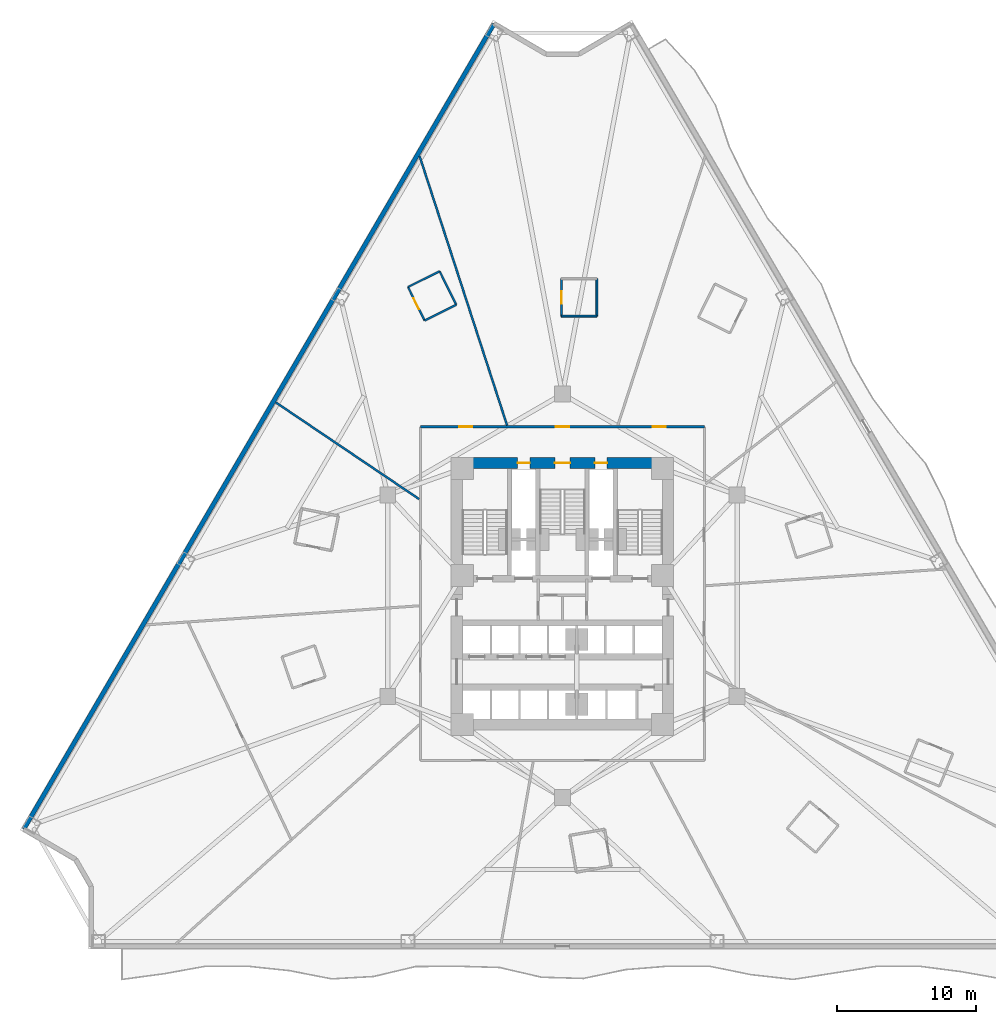
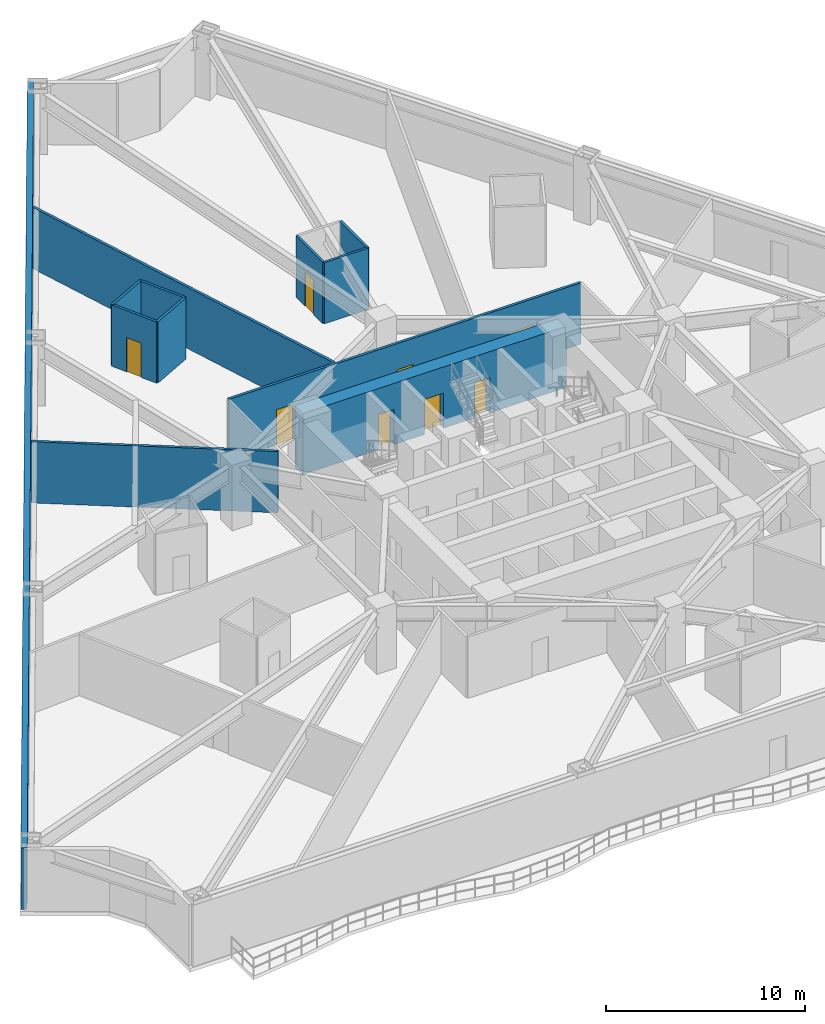
# One storey, part 6 of 10: 12 walls, 8 doors, 8 openings.
"""IFC4 building model written with IfcOpenShell, lengths in metres."""

from ifc_helpers import new_model, si_unit, direction, frame, frame_2d, origin, place, context, subcontext, project, spatial, rectangle, extrude, material, layer, layer_set, type_object, element, fill, save


model = new_model("IFC4")

# Units and contexts
model_context = context("Model", 3, precision=1e-05, world=origin(), true_north=direction((0.0, 1.0)))
body_context = subcontext(model_context, "Body", "Model", "MODEL_VIEW")
ifc_project = project(units=[si_unit("LENGTHUNIT", "METRE"), si_unit("AREAUNIT", "SQUARE_METRE"), si_unit("VOLUMEUNIT", "CUBIC_METRE"), si_unit("PLANEANGLEUNIT", "RADIAN"), si_unit("MASSUNIT", "GRAM", prefix="KILO")], contexts=[model_context])

# Site, building, storey
site_placement = place(None, origin())
site = spatial("IfcSite", under=ifc_project, at=site_placement, CompositionType="ELEMENT")
building_placement = place(site_placement, origin())
building = spatial("IfcBuilding", under=site, at=building_placement, Name="Apsidion Concourse Tower", CompositionType="ELEMENT")
storey_placement = place(building_placement, frame((0.0, 0.0, 38.39990234375)))
storey = spatial("IfcBuildingStorey", under=building, at=storey_placement, Name="L07", CompositionType="ELEMENT", Elevation=38.39990234375)

# Walls
ifc_material_1 = material(Name="Precast concrete C40/50", Category="concrete")
ifc_layer_1 = layer(ifc_material_1, 0.320068359375)
ifc_layer_set_1 = layer_set([ifc_layer_1], Name="Precast concrete C40/50")
wall_type_1 = type_object("IfcWallType", Name="WL-EXT-320", PredefinedType="STANDARD", material=ifc_layer_set_1)
wall_1_placement = place(storey_placement, frame((-38.725830078125, -16.7734375, 0.0), z_axis=(0.0, 0.0, 1.0), x_axis=(0.504213113214, 0.863579258935, 0.0)))
element("IfcWall", 1, at=wall_1_placement, inside=storey, type_object=wall_type_1, Name="L07 Precast Stone Facade Wall 09", PredefinedType="STANDARD", context=body_context, shape_type="SweptSolid", body=[
    extrude(rectangle(XDim=67.041015625, YDim=0.320068359375, at=frame_2d((33.5205078125, 0.0))), origin(), (0.0, 0.0, 1.0), 3.75),
])
ifc_material_2 = material(Name="Gypsum plasterboard partition")
ifc_layer_2 = layer(ifc_material_2, 0.139892578125)
ifc_layer_set_2 = layer_set([ifc_layer_2], Name="Gypsum plasterboard partition")
wall_type_2 = type_object("IfcWallType", Name="WL-INT-PAR-140", PredefinedType="PARTITIONING", material=ifc_layer_set_2)
wall_2_placement = place(storey_placement, frame((2.469970703125, 20.103759765625, 0.0), z_axis=(0.0, 0.0, 1.0), x_axis=(0.0, 1.0, 0.0)))
element("IfcWall", 2, at=wall_2_placement, inside=storey, type_object=wall_type_2, Name="L07 Interior Partition WL-L07-POD-ENS07-S1", PredefinedType="PARTITIONING", context=body_context, shape_type="SweptSolid", body=[
    extrude(rectangle(XDim=2.68994140625, YDim=0.139892578125, at=frame_2d((1.344970703125, 0.0))), origin(), (0.0, 0.0, 1.0), 3.75),
])

# Wall, opening, door
wall_3_placement = place(storey_placement, frame((-0.070068359375, 22.793701171875, 0.0), z_axis=(0.0, 0.0, 1.0), x_axis=(0.0, -1.0, 0.0)))
wall_3 = element("IfcWall", 3, at=wall_3_placement, inside=storey, type_object=wall_type_2, Name="L07 Interior Partition WL-L07-POD-ENS07-S3", PredefinedType="PARTITIONING", context=body_context, shape_type="SweptSolid", body=[
    extrude(rectangle(XDim=2.68994140625, YDim=0.139892578125, at=frame_2d((1.344970703125, 0.0))), origin(), (0.0, 0.0, 1.0), 3.75),
])
opening_1_placement = place(wall_3_placement, frame((0.905029296875, 0.0, 0.0)))
opening_1 = element("IfcOpeningElement", 4, at=opening_1_placement, cuts=wall_3, Name="Opening D-03R", PredefinedType="OPENING", context=body_context, shape_type="SweptSolid", body=[
    extrude(rectangle(XDim=0.8798828125, YDim=2.10009765625, at=frame_2d((0.43994140625, 1.050048828125))), frame((0.0, 0.080078125, 0.0), z_axis=(0.0, -1.0, 0.0), x_axis=(1.0, 0.0, 0.0)), (0.0, 0.0, 1.0), 0.159912109375),
])
ifc_material_3 = material(Name="Anodised aluminium EN AW-6063 T6", Category="aluminium")
door_type_1 = type_object("IfcDoorType", Name="DR-INT-D03R", OperationType="SINGLE_SWING_RIGHT", PredefinedType="DOOR", material=ifc_material_3)
door_1_placement = place(opening_1_placement, origin())
door_1 = element("IfcDoor", 5, at=door_1_placement, inside=storey, type_object=door_type_1, Name="L07 Guest En-Suite Bathroom Door ENS07", OperationType="SINGLE_SWING_RIGHT", OverallHeight=2.10009765625, OverallWidth=0.8798828125, PredefinedType="DOOR", context=body_context, shape_type="SweptSolid", body=[
    extrude(rectangle(XDim=0.8798828125, YDim=2.10009765625, at=frame_2d((0.43994140625, 1.050048828125))), frame((0.0, 0.02490234375, 0.0), z_axis=(0.0, -1.0, 0.0), x_axis=(1.0, 0.0, 0.0)), (0.0, 0.0, 1.0), 0.050048828125),
])
fill(opening_1, door_1)

# Walls
wall_4_placement = place(storey_placement, frame((-0.070068359375, 20.103759765625, 0.0), z_axis=(0.0, 0.0, 1.0), x_axis=(1.0, 0.0, 0.0)))
element("IfcWall", 6, at=wall_4_placement, inside=storey, type_object=wall_type_2, Name="L07 Interior Partition WL-L07-POD-ENS07-S4", PredefinedType="PARTITIONING", context=body_context, shape_type="SweptSolid", body=[
    extrude(rectangle(XDim=2.5400390625, YDim=0.139892578125, at=frame_2d((1.27001953125, 0.0))), origin(), (0.0, 0.0, 1.0), 3.75),
])
wall_5_placement = place(storey_placement, frame((-7.634521484375, 20.919921875, 0.0), z_axis=(0.0, 0.0, 1.0), x_axis=(-0.444598005218, 0.895730212595, 0.0)))
element("IfcWall", 7, at=wall_5_placement, inside=storey, type_object=wall_type_2, Name="L07 Interior Partition WL-L07-POD-ENS08-S1", PredefinedType="PARTITIONING", context=body_context, shape_type="SweptSolid", body=[
    extrude(rectangle(XDim=2.690185546875, YDim=0.139892578125, at=frame_2d((1.34521484375, 0.0))), origin(), (0.0, 0.0, 1.0), 3.75),
])
wall_6_placement = place(storey_placement, frame((-8.83056640625, 23.32958984375, 0.0), z_axis=(0.0, 0.0, 1.0), x_axis=(-0.895711445352, -0.444635813521, 0.0)))
element("IfcWall", 8, at=wall_6_placement, inside=storey, type_object=wall_type_2, Name="L07 Interior Partition WL-L07-POD-ENS08-S2", PredefinedType="PARTITIONING", context=body_context, shape_type="SweptSolid", body=[
    extrude(rectangle(XDim=2.5400390625, YDim=0.139892578125, at=frame_2d((1.27001953125, 0.0))), origin(), (0.0, 0.0, 1.0), 3.75),
])

# Wall, opening, door
wall_7_placement = place(storey_placement, frame((-11.105712890625, 22.2001953125, 0.0), z_axis=(0.0, 0.0, 1.0), x_axis=(0.444706961712, -0.895676123498, 0.0)))
wall_7 = element("IfcWall", 9, at=wall_7_placement, inside=storey, type_object=wall_type_2, Name="L07 Interior Partition WL-L07-POD-ENS08-S3", PredefinedType="PARTITIONING", context=body_context, shape_type="SweptSolid", body=[
    extrude(rectangle(XDim=2.68994140625, YDim=0.139892578125, at=frame_2d((1.344970703125, 0.0))), origin(), (0.0, 0.0, 1.0), 3.75),
])
opening_2_placement = place(wall_7_placement, frame((0.905029296875, 0.0, 0.0)))
opening_2 = element("IfcOpeningElement", 10, at=opening_2_placement, cuts=wall_7, Name="Opening D-03L", PredefinedType="OPENING", context=body_context, shape_type="SweptSolid", body=[
    extrude(rectangle(XDim=0.8798828125, YDim=2.10009765625, at=frame_2d((0.43994140625, 1.050048828125))), frame((0.0, 0.080078125, 0.0), z_axis=(0.0, -1.0, 0.0), x_axis=(1.0, 0.0, 0.0)), (0.0, 0.0, 1.0), 0.159912109375),
])
door_type_2 = type_object("IfcDoorType", Name="DR-INT-D03L", OperationType="SINGLE_SWING_LEFT", PredefinedType="DOOR", material=ifc_material_3)
door_2_placement = place(opening_2_placement, origin())
door_2 = element("IfcDoor", 11, at=door_2_placement, inside=storey, type_object=door_type_2, Name="L07 Guest En-Suite Bathroom Door ENS08", OperationType="SINGLE_SWING_LEFT", OverallHeight=2.10009765625, OverallWidth=0.8798828125, PredefinedType="DOOR", context=body_context, shape_type="SweptSolid", body=[
    extrude(rectangle(XDim=0.8798828125, YDim=2.10009765625, at=frame_2d((0.43994140625, 1.050048828125))), frame((0.0, 0.02490234375, 0.0), z_axis=(0.0, -1.0, 0.0), x_axis=(1.0, 0.0, 0.0)), (0.0, 0.0, 1.0), 0.050048828125),
])
fill(opening_2, door_2)

# Wall
wall_8_placement = place(storey_placement, frame((-9.909423828125, 19.790771484375, 0.0), z_axis=(0.0, 0.0, 1.0), x_axis=(0.895730724579, 0.444596973726, 0.0)))
element("IfcWall", 12, at=wall_8_placement, inside=storey, type_object=wall_type_2, Name="L07 Interior Partition WL-L07-POD-ENS08-S4", PredefinedType="PARTITIONING", context=body_context, shape_type="SweptSolid", body=[
    extrude(rectangle(XDim=2.539794921875, YDim=0.139892578125, at=frame_2d((1.27001953125, 0.0))), origin(), (0.0, 0.0, 1.0), 3.75),
])

# Wall, openings, doors
ifc_layer_3 = layer(ifc_material_2, 0.14990234375)
ifc_layer_set_3 = layer_set([ifc_layer_3], Name="Gypsum plasterboard partition")
wall_type_3 = type_object("IfcWallType", Name="WL-INT-PAR-150", PredefinedType="PARTITIONING", material=ifc_layer_set_3)
wall_9_placement = place(storey_placement, frame((-10.199951171875, 12.14990234375, 0.0), z_axis=(0.0, 0.0, 1.0), x_axis=(1.0, 0.0, 0.0)))
wall_9 = element("IfcWall", 13, at=wall_9_placement, inside=storey, type_object=wall_type_3, Name="L07 Interior Partition WL-L07-CORR-01", PredefinedType="PARTITIONING", context=body_context, shape_type="SweptSolid", body=[
    extrude(rectangle(XDim=20.39990234375, YDim=0.14990234375, at=frame_2d((10.199951171875, 0.0))), origin(), (0.0, 0.0, 1.0), 3.75),
])
opening_3_placement = place(wall_9_placement, frame((16.685546875, 0.0, 0.0)))
opening_3 = element("IfcOpeningElement", 14, at=opening_3_placement, cuts=wall_9, Name="Opening D-01L", PredefinedType="OPENING", context=body_context, shape_type="SweptSolid", body=[
    extrude(rectangle(XDim=0.949951171875, YDim=2.14990234375, at=frame_2d((0.47509765625, 1.074951171875))), frame((0.0, 0.0849609375, 0.0), z_axis=(0.0, -1.0, 0.0), x_axis=(1.0, 0.0, 0.0)), (0.0, 0.0, 1.0), 0.169921875),
])
opening_4_placement = place(wall_9_placement, frame((9.72509765625, 0.0, 0.0)))
opening_4 = element("IfcOpeningElement", 15, at=opening_4_placement, cuts=wall_9, Name="Opening D-01R", PredefinedType="OPENING", context=body_context, shape_type="SweptSolid", body=[
    extrude(rectangle(XDim=0.949951171875, YDim=2.14990234375, at=frame_2d((0.47509765625, 1.074951171875))), frame((0.0, 0.0849609375, 0.0), z_axis=(0.0, -1.0, 0.0), x_axis=(1.0, 0.0, 0.0)), (0.0, 0.0, 1.0), 0.169921875),
])
opening_5_placement = place(wall_9_placement, frame((2.764404296875, 0.0, 0.0)))
opening_5 = element("IfcOpeningElement", 16, at=opening_5_placement, cuts=wall_9, Name="Opening D-01L", PredefinedType="OPENING", context=body_context, shape_type="SweptSolid", body=[
    extrude(rectangle(XDim=0.949951171875, YDim=2.14990234375, at=frame_2d((0.47509765625, 1.074951171875))), frame((0.0, 0.0849609375, 0.0), z_axis=(0.0, -1.0, 0.0), x_axis=(1.0, 0.0, 0.0)), (0.0, 0.0, 1.0), 0.169921875),
])
ifc_material_4 = material(Name="Brushed stainless steel 316", Category="steel")
door_type_3 = type_object("IfcDoorType", Name="DR-INT-D01L", OperationType="SINGLE_SWING_LEFT", PredefinedType="DOOR", material=ifc_material_4)
door_3_placement = place(opening_3_placement, origin())
door_3 = element("IfcDoor", 17, at=door_3_placement, inside=storey, type_object=door_type_3, Name="L07 Corridor Entry Door 07", OperationType="SINGLE_SWING_LEFT", OverallHeight=2.14990234375, OverallWidth=0.949951171875, PredefinedType="DOOR", context=body_context, shape_type="SweptSolid", body=[
    extrude(rectangle(XDim=0.949951171875, YDim=2.14990234375, at=frame_2d((0.47509765625, 1.074951171875))), frame((0.0, 0.02490234375, 0.0), z_axis=(0.0, -1.0, 0.0), x_axis=(1.0, 0.0, 0.0)), (0.0, 0.0, 1.0), 0.050048828125),
])
fill(opening_3, door_3)
door_4_placement = place(opening_5_placement, origin())
door_4 = element("IfcDoor", 18, at=door_4_placement, inside=storey, type_object=door_type_3, Name="L07 Corridor Entry Door 09", OperationType="SINGLE_SWING_LEFT", OverallHeight=2.14990234375, OverallWidth=0.949951171875, PredefinedType="DOOR", context=body_context, shape_type="SweptSolid", body=[
    extrude(rectangle(XDim=0.949951171875, YDim=2.14990234375, at=frame_2d((0.47509765625, 1.074951171875))), frame((0.0, 0.02490234375, 0.0), z_axis=(0.0, -1.0, 0.0), x_axis=(1.0, 0.0, 0.0)), (0.0, 0.0, 1.0), 0.050048828125),
])
fill(opening_5, door_4)
door_type_4 = type_object("IfcDoorType", Name="DR-INT-D01R", OperationType="SINGLE_SWING_RIGHT", PredefinedType="DOOR", material=ifc_material_4)
door_5_placement = place(opening_4_placement, origin())
door_5 = element("IfcDoor", 19, at=door_5_placement, inside=storey, type_object=door_type_4, Name="L07 Corridor Entry Door 08", OperationType="SINGLE_SWING_RIGHT", OverallHeight=2.14990234375, OverallWidth=0.949951171875, PredefinedType="DOOR", context=body_context, shape_type="SweptSolid", body=[
    extrude(rectangle(XDim=0.949951171875, YDim=2.14990234375, at=frame_2d((0.47509765625, 1.074951171875))), frame((0.0, 0.02490234375, 0.0), z_axis=(0.0, -1.0, 0.0), x_axis=(1.0, 0.0, 0.0)), (0.0, 0.0, 1.0), 0.050048828125),
])
fill(opening_4, door_5)

# Walls
wall_10_placement = place(storey_placement, frame((-3.98193359375, 12.2548828125, 0.0), z_axis=(0.0, 0.0, 1.0), x_axis=(-0.309011216684, 0.951058393561, 0.0)))
element("IfcWall", 20, at=wall_10_placement, inside=storey, type_object=wall_type_3, Name="L07 Interior Partition WL-L07-RAD-04-1", PredefinedType="PARTITIONING", context=body_context, shape_type="SweptSolid", body=[
    extrude(rectangle(XDim=20.3544921875, YDim=0.14990234375, at=frame_2d((10.17724609375, 0.0))), origin(), (0.0, 0.0, 1.0), 3.75),
])
wall_11_placement = place(storey_placement, frame((-10.304931640625, 6.95068359375, 0.0), z_axis=(0.0, 0.0, 1.0), x_axis=(-0.829038255968, 0.559191890268, 0.0)))
element("IfcWall", 21, at=wall_11_placement, inside=storey, type_object=wall_type_3, Name="L07 Interior Partition WL-L07-RAD-05-1", PredefinedType="PARTITIONING", context=body_context, shape_type="SweptSolid", body=[
    extrude(rectangle(XDim=12.432861328125, YDim=0.14990234375, at=frame_2d((6.21630859375, 0.0))), origin(), (0.0, 0.0, 1.0), 3.75),
])

# Wall, openings, doors
ifc_material_5 = material(Name="Concrete C60/75", Category="concrete")
ifc_layer_4 = layer(ifc_material_5, 0.800048828125)
ifc_layer_set_4 = layer_set([ifc_layer_4], Name="Concrete C60/75")
wall_type_4 = type_object("IfcWallType", Name="WL-SH-800", PredefinedType="SHEAR", material=ifc_layer_set_4)
wall_12_placement = place(storey_placement, frame((-7.60009765625, 9.550048828125, 0.0), z_axis=(0.0, 0.0, 1.0), x_axis=(1.0, 0.0, 0.0)))
wall_12 = element("IfcWall", 22, at=wall_12_placement, inside=storey, type_object=wall_type_4, Name="L07 Central Core Shear Wall N", PredefinedType="SHEAR", context=body_context, shape_type="SweptSolid", body=[
    extrude(rectangle(XDim=15.2001953125, YDim=0.800048828125, at=frame_2d((7.60009765625, 0.0))), origin(), (0.0, 0.0, 1.0), 3.75),
])
opening_6_placement = place(wall_12_placement, frame((7.050048828125, 0.0, 0.0)))
opening_6 = element("IfcOpeningElement", 23, at=opening_6_placement, cuts=wall_12, Name="Opening D-STL", PredefinedType="OPENING", context=body_context, shape_type="SweptSolid", body=[
    extrude(rectangle(XDim=1.10009765625, YDim=2.14990234375, at=frame_2d((0.550048828125, 1.074951171875))), frame((0.0, 0.41015625, 0.0), z_axis=(0.0, -1.0, 0.0), x_axis=(1.0, 0.0, 0.0)), (0.0, 0.0, 1.0), 0.820068359375),
])
opening_7_placement = place(wall_12_placement, frame((4.3798828125, 0.0, 0.0)))
opening_7 = element("IfcOpeningElement", 24, at=opening_7_placement, cuts=wall_12, Name="Opening D-05L", PredefinedType="OPENING", context=body_context, shape_type="SweptSolid", body=[
    extrude(rectangle(XDim=0.8798828125, YDim=2.14990234375, at=frame_2d((0.43994140625, 1.074951171875))), frame((0.0, 0.41015625, 0.0), z_axis=(0.0, -1.0, 0.0), x_axis=(1.0, 0.0, 0.0)), (0.0, 0.0, 1.0), 0.820068359375),
])
opening_8_placement = place(wall_12_placement, frame((9.93994140625, 0.0, 0.0)))
opening_8 = element("IfcOpeningElement", 25, at=opening_8_placement, cuts=wall_12, Name="Opening D-05R", PredefinedType="OPENING", context=body_context, shape_type="SweptSolid", body=[
    extrude(rectangle(XDim=0.8798828125, YDim=2.14990234375, at=frame_2d((0.43994140625, 1.074951171875))), frame((0.0, 0.41015625, 0.0), z_axis=(0.0, -1.0, 0.0), x_axis=(1.0, 0.0, 0.0)), (0.0, 0.0, 1.0), 0.820068359375),
])
door_type_5 = type_object("IfcDoorType", Name="DR-INT-D05L", OperationType="SINGLE_SWING_LEFT", PredefinedType="DOOR", material=ifc_material_4)
door_6_placement = place(opening_7_placement, origin())
door_6 = element("IfcDoor", 26, at=door_6_placement, inside=storey, type_object=door_type_5, Name="L07 Electrical Riser Shaft Access Door", OperationType="SINGLE_SWING_LEFT", OverallHeight=2.14990234375, OverallWidth=0.8798828125, PredefinedType="DOOR", context=body_context, shape_type="SweptSolid", body=[
    extrude(rectangle(XDim=0.8798828125, YDim=2.14990234375, at=frame_2d((0.43994140625, 1.074951171875))), frame((0.0, 0.02490234375, 0.0), z_axis=(0.0, -1.0, 0.0), x_axis=(1.0, 0.0, 0.0)), (0.0, 0.0, 1.0), 0.050048828125),
])
fill(opening_7, door_6)
door_type_6 = type_object("IfcDoorType", Name="DR-INT-D05R", OperationType="SINGLE_SWING_RIGHT", PredefinedType="DOOR", material=ifc_material_4)
door_7_placement = place(opening_8_placement, origin())
door_7 = element("IfcDoor", 27, at=door_7_placement, inside=storey, type_object=door_type_6, Name="L07 Mechanical Riser Shaft Access Door", OperationType="SINGLE_SWING_RIGHT", OverallHeight=2.14990234375, OverallWidth=0.8798828125, PredefinedType="DOOR", context=body_context, shape_type="SweptSolid", body=[
    extrude(rectangle(XDim=0.8798828125, YDim=2.14990234375, at=frame_2d((0.43994140625, 1.074951171875))), frame((0.0, 0.02490234375, 0.0), z_axis=(0.0, -1.0, 0.0), x_axis=(1.0, 0.0, 0.0)), (0.0, 0.0, 1.0), 0.050048828125),
])
fill(opening_8, door_7)
door_type_7 = type_object("IfcDoorType", Name="DR-INT-ST1L", OperationType="SINGLE_SWING_LEFT", PredefinedType="DOOR", material=ifc_material_4)
door_8_placement = place(opening_6_placement, origin())
door_8 = element("IfcDoor", 28, at=door_8_placement, inside=storey, type_object=door_type_7, Name="L07 Core Exit Stair ST3 Door", OperationType="SINGLE_SWING_LEFT", OverallHeight=2.14990234375, OverallWidth=1.10009765625, PredefinedType="DOOR", context=body_context, shape_type="SweptSolid", body=[
    extrude(rectangle(XDim=1.10009765625, YDim=2.14990234375, at=frame_2d((0.550048828125, 1.074951171875))), frame((0.0, 0.02490234375, 0.0), z_axis=(0.0, -1.0, 0.0), x_axis=(1.0, 0.0, 0.0)), (0.0, 0.0, 1.0), 0.050048828125),
])
fill(opening_6, door_8)

save(model, "model.ifc")
